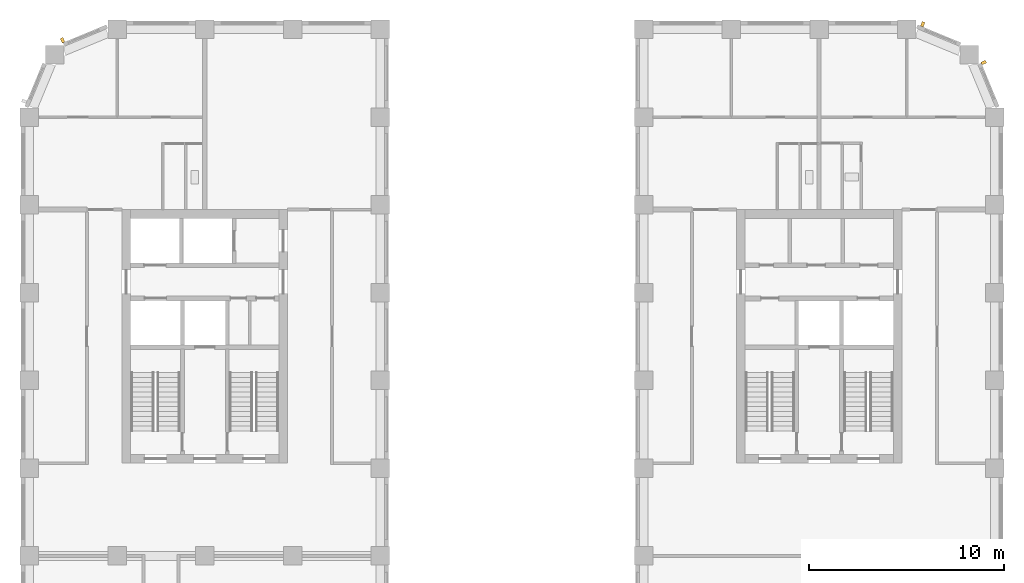
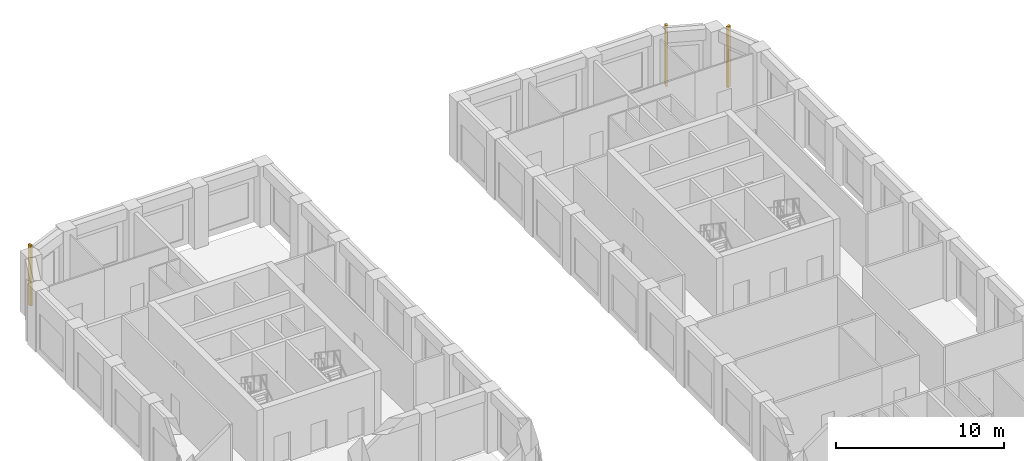
# One storey, part 11 of 12: 3 shading devices.
"""IFC4 building model written with IfcOpenShell, lengths in metres."""

from ifc_helpers import new_model, si_unit, direction, frame, origin, origin_2d, place, context, subcontext, project, spatial, rectangle, extrude, material, type_object, element, save


model = new_model("IFC4")

# Units and contexts
model_context = context("Model", 3, precision=1e-05, world=origin(), true_north=direction((0.0, 1.0)))
body_context = subcontext(model_context, "Body", "Model", "MODEL_VIEW")
ifc_project = project(units=[si_unit("LENGTHUNIT", "METRE"), si_unit("AREAUNIT", "SQUARE_METRE"), si_unit("VOLUMEUNIT", "CUBIC_METRE"), si_unit("PLANEANGLEUNIT", "RADIAN"), si_unit("MASSUNIT", "GRAM", prefix="KILO")], contexts=[model_context])

# Site, building, storey
site_placement = place(None, origin())
site = spatial("IfcSite", under=ifc_project, at=site_placement, CompositionType="ELEMENT")
building_placement = place(site_placement, origin())
building = spatial("IfcBuilding", under=site, at=building_placement, Name="Girih Gate Residences", CompositionType="ELEMENT")
storey_placement = place(building_placement, frame((0.0, 0.0, 155.0)))
storey = spatial("IfcBuildingStorey", under=building, at=storey_placement, Name="L43", CompositionType="ELEMENT", Elevation=155.0)

# Shading devices
ifc_material = material(Name="Precast concrete C50/60", Category="concrete")
shading_device_type = type_object("IfcShadingDeviceType", Name="Corner rib 150x250", PredefinedType="USERDEFINED", material=ifc_material)
for number, where, z_axis, x_axis, name in (
    (1, (1.705322265625, 48.937744140625, 0.0), (0.0, 0.0, 1.0), (-0.923879532511, -0.382683432365, 0.0), "Corner rib NW0045_0495.0"),
    (2, (48.937744140625, 47.794677734375, 0.0), (0.0, 0.0, 1.0), (-0.382683432365, 0.923879532511, 0.0), "Corner rib NE0495_0450.0"),
    (3, (45.808349609375, 49.760498046875, 0.0), (0.0, 0.0, 1.0), (-0.923879532511, 0.382683432365, 0.0), "Corner rib NE0482_0482.0"),
):
    element("IfcShadingDevice", number, at=place(storey_placement, frame(where, z_axis=z_axis, x_axis=x_axis)), inside=storey, type_object=shading_device_type, Name=name, ObjectType="FIN", PredefinedType="USERDEFINED", context=body_context, shape_type="SweptSolid", body=[
        extrude(rectangle(XDim=0.14990234375, YDim=0.25, at=origin_2d()), origin(), (0.0, 0.0, 1.0), 4.39990234375),
    ])

save(model, "model.ifc")
